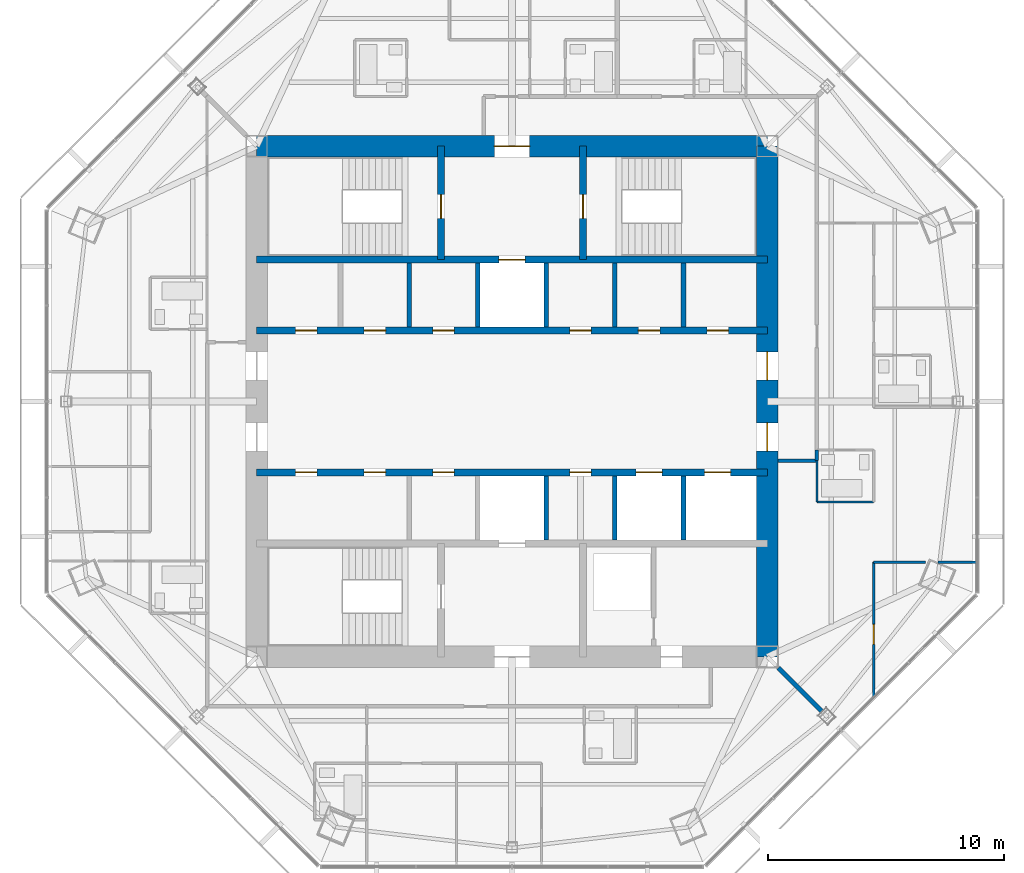
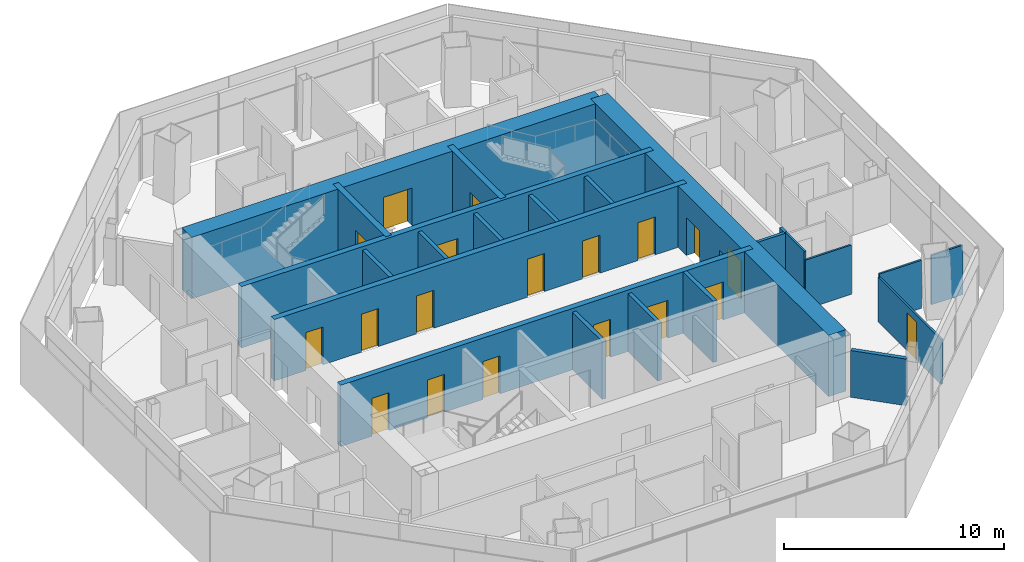
# One storey, part 10 of 15: 23 walls, 19 doors, 19 openings.
"""IFC4 building model written with IfcOpenShell, lengths in metres."""

from ifc_helpers import new_model, si_unit, direction, frame, frame_2d, origin, place, context, subcontext, project, spatial, rectangle, extrude, material, layer, layer_set, type_object, element, fill, save


model = new_model("IFC4")

# Units and contexts
model_context = context("Model", 3, precision=1e-05, world=origin(), true_north=direction((0.0, 1.0)))
body_context = subcontext(model_context, "Body", "Model", "MODEL_VIEW")
ifc_project = project(units=[si_unit("LENGTHUNIT", "METRE"), si_unit("AREAUNIT", "SQUARE_METRE"), si_unit("VOLUMEUNIT", "CUBIC_METRE"), si_unit("PLANEANGLEUNIT", "RADIAN"), si_unit("MASSUNIT", "GRAM", prefix="KILO")], contexts=[model_context])

# Site, building, storey
site_placement = place(None, origin())
site = spatial("IfcSite", under=ifc_project, at=site_placement, CompositionType="ELEMENT")
building_placement = place(site_placement, origin())
building = spatial("IfcBuilding", under=site, at=building_placement, Name="Mashrafa Tower", CompositionType="ELEMENT")
storey_placement = place(building_placement, frame((0.0, 0.0, 294.60009765625)))
storey = spatial("IfcBuildingStorey", under=building, at=storey_placement, Name="L72", CompositionType="ELEMENT", Elevation=294.60009765625)

# Wall
ifc_material_1 = material(Name="Gypsum board on steel studs", Category="steel")
ifc_layer_1 = layer(ifc_material_1, 0.199951171875)
ifc_layer_set_1 = layer_set([ifc_layer_1], Name="Acoustic partition 200 1 hr")
wall_type_1 = type_object("IfcWallType", Name="Acoustic partition 200 1 hr", PredefinedType="PARTITIONING", material=ifc_layer_set_1)
wall_1_placement = place(storey_placement, frame((11.26904296875, -11.26904296875, 0.0), z_axis=(0.0, 0.0, 1.0), x_axis=(0.707106781187, -0.707106781187, 0.0)))
element("IfcWall", 1, at=wall_1_placement, inside=storey, type_object=wall_type_1, Name="Acoustic wall L72-045", PredefinedType="PARTITIONING", context=body_context, shape_type="SweptSolid", body=[
    extrude(rectangle(XDim=2.603759765625, YDim=0.199951171875, at=frame_2d((1.3017578125, 0.0))), origin(), (0.0, 0.0, 1.0), 2.590576171875),
])

# Wall, openings, doors
ifc_material_2 = material(Name="Concrete C50/60", Category="concrete")
ifc_layer_2 = layer(ifc_material_2, 0.300048828125)
ifc_layer_set_2 = layer_set([ifc_layer_2], Name="Core wall 300 C50/60")
wall_type_2 = type_object("IfcWallType", Name="Core wall 300 C50/60", PredefinedType="SOLIDWALL", material=ifc_layer_set_2)
wall_2_placement = place(storey_placement, frame((-10.800048828125, 3.0, 0.0), z_axis=(0.0, 0.0, 1.0), x_axis=(1.0, 0.0, 0.0)))
wall_2 = element("IfcWall", 2, at=wall_2_placement, inside=storey, type_object=wall_type_2, Name="Core wall CH-N L72", PredefinedType="SOLIDWALL", context=body_context, shape_type="SweptSolid", body=[
    extrude(rectangle(XDim=21.60009765625, YDim=0.300048828125, at=frame_2d((10.800048828125, 0.0))), origin(), (0.0, 0.0, 1.0), 3.39990234375),
])
opening_1_placement = place(wall_2_placement, frame((1.64990234375, 0.0, 0.0)))
opening_1 = element("IfcOpeningElement", 3, at=opening_1_placement, cuts=wall_2, Name="Opening 72.040", PredefinedType="OPENING", context=body_context, shape_type="SweptSolid", body=[
    extrude(rectangle(XDim=0.89990234375, YDim=2.10009765625, at=frame_2d((0.449951171875, 1.050048828125))), frame((0.0, 0.159912109375, 0.0), z_axis=(0.0, -1.0, 0.0), x_axis=(1.0, 0.0, 0.0)), (0.0, 0.0, 1.0), 0.320068359375),
])
opening_2_placement = place(wall_2_placement, frame((4.550048828125, 0.0, 0.0)))
opening_2 = element("IfcOpeningElement", 4, at=opening_2_placement, cuts=wall_2, Name="Opening 72.041", PredefinedType="OPENING", context=body_context, shape_type="SweptSolid", body=[
    extrude(rectangle(XDim=0.89990234375, YDim=2.10009765625, at=frame_2d((0.449951171875, 1.050048828125))), frame((0.0, 0.159912109375, 0.0), z_axis=(0.0, -1.0, 0.0), x_axis=(1.0, 0.0, 0.0)), (0.0, 0.0, 1.0), 0.320068359375),
])
opening_3_placement = place(wall_2_placement, frame((13.25, 0.0, 0.0)))
opening_3 = element("IfcOpeningElement", 5, at=opening_3_placement, cuts=wall_2, Name="Opening 72.042", PredefinedType="OPENING", context=body_context, shape_type="SweptSolid", body=[
    extrude(rectangle(XDim=0.89990234375, YDim=2.10009765625, at=frame_2d((0.449951171875, 1.050048828125))), frame((0.0, 0.159912109375, 0.0), z_axis=(0.0, -1.0, 0.0), x_axis=(1.0, 0.0, 0.0)), (0.0, 0.0, 1.0), 0.320068359375),
])
opening_4_placement = place(wall_2_placement, frame((7.449951171875, 0.0, 0.0)))
opening_4 = element("IfcOpeningElement", 6, at=opening_4_placement, cuts=wall_2, Name="Opening 72.046", PredefinedType="OPENING", context=body_context, shape_type="SweptSolid", body=[
    extrude(rectangle(XDim=0.89990234375, YDim=2.10009765625, at=frame_2d((0.449951171875, 1.050048828125))), frame((0.0, 0.159912109375, 0.0), z_axis=(0.0, -1.0, 0.0), x_axis=(1.0, 0.0, 0.0)), (0.0, 0.0, 1.0), 0.320068359375),
])
opening_5_placement = place(wall_2_placement, frame((16.14990234375, 0.0, 0.0)))
opening_5 = element("IfcOpeningElement", 7, at=opening_5_placement, cuts=wall_2, Name="Opening 72.047", PredefinedType="OPENING", context=body_context, shape_type="SweptSolid", body=[
    extrude(rectangle(XDim=0.89990234375, YDim=2.10009765625, at=frame_2d((0.449951171875, 1.050048828125))), frame((0.0, 0.159912109375, 0.0), z_axis=(0.0, -1.0, 0.0), x_axis=(1.0, 0.0, 0.0)), (0.0, 0.0, 1.0), 0.320068359375),
])
opening_6_placement = place(wall_2_placement, frame((19.050048828125, 0.0, 0.0)))
opening_6 = element("IfcOpeningElement", 8, at=opening_6_placement, cuts=wall_2, Name="Opening 72.048", PredefinedType="OPENING", context=body_context, shape_type="SweptSolid", body=[
    extrude(rectangle(XDim=0.89990234375, YDim=2.10009765625, at=frame_2d((0.449951171875, 1.050048828125))), frame((0.0, 0.159912109375, 0.0), z_axis=(0.0, -1.0, 0.0), x_axis=(1.0, 0.0, 0.0)), (0.0, 0.0, 1.0), 0.320068359375),
])
ifc_material_3 = material(Name="Timber door", Category="wood")
door_type_1 = type_object("IfcDoorType", Name="Store door 900 x 2100", OperationType="USERDEFINED", PredefinedType="DOOR", material=ifc_material_3)
door_1_placement = place(opening_1_placement, origin())
door_1 = element("IfcDoor", 9, at=door_1_placement, inside=storey, type_object=door_type_1, Name="Refuse Chute Room L72 door", OperationType="SINGLE_SWING_RIGHT", OverallHeight=2.10009765625, OverallWidth=0.89990234375, PredefinedType="DOOR", context=body_context, shape_type="SweptSolid", body=[
    extrude(rectangle(XDim=0.89990234375, YDim=2.10009765625, at=frame_2d((0.449951171875, 1.050048828125))), frame((0.0, 0.02490234375, 0.0), z_axis=(0.0, -1.0, 0.0), x_axis=(1.0, 0.0, 0.0)), (0.0, 0.0, 1.0), 0.050048828125),
])
fill(opening_1, door_1)
door_2_placement = place(opening_2_placement, origin())
door_2 = element("IfcDoor", 10, at=door_2_placement, inside=storey, type_object=door_type_1, Name="Housekeeping Room L72 door", OperationType="SINGLE_SWING_LEFT", OverallHeight=2.10009765625, OverallWidth=0.89990234375, PredefinedType="DOOR", context=body_context, shape_type="SweptSolid", body=[
    extrude(rectangle(XDim=0.89990234375, YDim=2.10009765625, at=frame_2d((0.449951171875, 1.050048828125))), frame((0.0, 0.02490234375, 0.0), z_axis=(0.0, -1.0, 0.0), x_axis=(1.0, 0.0, 0.0)), (0.0, 0.0, 1.0), 0.050048828125),
])
fill(opening_2, door_2)
door_3_placement = place(opening_3_placement, origin())
door_3 = element("IfcDoor", 11, at=door_3_placement, inside=storey, type_object=door_type_1, Name="Cleaner's Store L72 door", OperationType="SINGLE_SWING_LEFT", OverallHeight=2.10009765625, OverallWidth=0.89990234375, PredefinedType="DOOR", context=body_context, shape_type="SweptSolid", body=[
    extrude(rectangle(XDim=0.89990234375, YDim=2.10009765625, at=frame_2d((0.449951171875, 1.050048828125))), frame((0.0, 0.02490234375, 0.0), z_axis=(0.0, -1.0, 0.0), x_axis=(1.0, 0.0, 0.0)), (0.0, 0.0, 1.0), 0.050048828125),
])
fill(opening_3, door_3)
door_4_placement = place(opening_4_placement, origin())
door_4 = element("IfcDoor", 12, at=door_4_placement, inside=storey, type_object=door_type_1, Name="Residents' Store L72-A3 door", OperationType="SINGLE_SWING_LEFT", OverallHeight=2.10009765625, OverallWidth=0.89990234375, PredefinedType="DOOR", context=body_context, shape_type="SweptSolid", body=[
    extrude(rectangle(XDim=0.89990234375, YDim=2.10009765625, at=frame_2d((0.449951171875, 1.050048828125))), frame((0.0, 0.02490234375, 0.0), z_axis=(0.0, -1.0, 0.0), x_axis=(1.0, 0.0, 0.0)), (0.0, 0.0, 1.0), 0.050048828125),
])
fill(opening_4, door_4)
door_5_placement = place(opening_5_placement, origin())
door_5 = element("IfcDoor", 13, at=door_5_placement, inside=storey, type_object=door_type_1, Name="Residents' Store L72-K1 door", OperationType="SINGLE_SWING_LEFT", OverallHeight=2.10009765625, OverallWidth=0.89990234375, PredefinedType="DOOR", context=body_context, shape_type="SweptSolid", body=[
    extrude(rectangle(XDim=0.89990234375, YDim=2.10009765625, at=frame_2d((0.449951171875, 1.050048828125))), frame((0.0, 0.02490234375, 0.0), z_axis=(0.0, -1.0, 0.0), x_axis=(1.0, 0.0, 0.0)), (0.0, 0.0, 1.0), 0.050048828125),
])
fill(opening_5, door_5)
door_6_placement = place(opening_6_placement, origin())
door_6 = element("IfcDoor", 14, at=door_6_placement, inside=storey, type_object=door_type_1, Name="Residents' Store L72-K2 door", OperationType="SINGLE_SWING_LEFT", OverallHeight=2.10009765625, OverallWidth=0.89990234375, PredefinedType="DOOR", context=body_context, shape_type="SweptSolid", body=[
    extrude(rectangle(XDim=0.89990234375, YDim=2.10009765625, at=frame_2d((0.449951171875, 1.050048828125))), frame((0.0, 0.02490234375, 0.0), z_axis=(0.0, -1.0, 0.0), x_axis=(1.0, 0.0, 0.0)), (0.0, 0.0, 1.0), 0.050048828125),
])
fill(opening_6, door_6)

# Wall, opening, door
wall_3_placement = place(storey_placement, frame((-10.800048828125, 6.0, 0.0), z_axis=(0.0, 0.0, 1.0), x_axis=(1.0, 0.0, 0.0)))
wall_3 = element("IfcWall", 15, at=wall_3_placement, inside=storey, type_object=wall_type_2, Name="Core wall CB-N L72", PredefinedType="SOLIDWALL", context=body_context, shape_type="SweptSolid", body=[
    extrude(rectangle(XDim=21.60009765625, YDim=0.300048828125, at=frame_2d((10.800048828125, 0.0))), origin(), (0.0, 0.0, 1.0), 3.39990234375),
])
opening_7_placement = place(wall_3_placement, frame((10.25, 0.0, 0.0)))
opening_7 = element("IfcOpeningElement", 16, at=opening_7_placement, cuts=wall_3, Name="Opening 72.F1", PredefinedType="OPENING", context=body_context, shape_type="SweptSolid", body=[
    extrude(rectangle(XDim=1.10009765625, YDim=2.10009765625, at=frame_2d((0.550048828125, 1.050048828125))), frame((0.0, 0.159912109375, 0.0), z_axis=(0.0, -1.0, 0.0), x_axis=(1.0, 0.0, 0.0)), (0.0, 0.0, 1.0), 0.320068359375),
])
ifc_material_4 = material(Name="Steel door", Category="steel")
door_type_2 = type_object("IfcDoorType", Name="Lift landing door 1100 x 2100 90 min", OperationType="DOUBLE_DOOR_SLIDING", PredefinedType="DOOR", material=ifc_material_4)
door_7_placement = place(opening_7_placement, origin())
door_7 = element("IfcDoor", 17, at=door_7_placement, inside=storey, type_object=door_type_2, Name="Lift landing door F1 L72", OperationType="DOUBLE_DOOR_SLIDING", OverallHeight=2.10009765625, OverallWidth=1.10009765625, PredefinedType="DOOR", context=body_context, shape_type="SweptSolid", body=[
    extrude(rectangle(XDim=1.10009765625, YDim=2.10009765625, at=frame_2d((0.550048828125, 1.050048828125))), frame((0.0, 0.02490234375, 0.0), z_axis=(0.0, -1.0, 0.0), x_axis=(1.0, 0.0, 0.0)), (0.0, 0.0, 1.0), 0.050048828125),
])
fill(opening_7, door_7)

wall_4_placement = place(storey_placement, frame((-3.0, 6.0, 0.0), z_axis=(0.0, 0.0, 1.0), x_axis=(0.0, 1.0, 0.0)))
wall_4 = element("IfcWall", 18, at=wall_4_placement, inside=storey, type_object=wall_type_2, Name="Core wall CX-NW L72", PredefinedType="SOLIDWALL", context=body_context, shape_type="SweptSolid", body=[
    extrude(rectangle(XDim=4.800048828125, YDim=0.300048828125, at=frame_2d((2.39990234375, 0.0))), origin(), (0.0, 0.0, 1.0), 3.39990234375),
])
opening_8_placement = place(wall_4_placement, frame((1.75, 0.0, 0.0)))
opening_8 = element("IfcOpeningElement", 19, at=opening_8_placement, cuts=wall_4, Name="Opening 72.035", PredefinedType="OPENING", context=body_context, shape_type="SweptSolid", body=[
    extrude(rectangle(XDim=1.0, YDim=2.10009765625, at=frame_2d((0.5, 1.050048828125))), frame((0.0, 0.159912109375, 0.0), z_axis=(0.0, -1.0, 0.0), x_axis=(1.0, 0.0, 0.0)), (0.0, 0.0, 1.0), 0.320068359375),
])
ifc_material_5 = material(Name="Steel door", Category="steel")
door_type_3 = type_object("IfcDoorType", Name="Stair door 1000 x 2100 90 min", OperationType="USERDEFINED", PredefinedType="DOOR", material=ifc_material_5)
door_8_placement = place(opening_8_placement, origin())
door_8 = element("IfcDoor", 20, at=door_8_placement, inside=storey, type_object=door_type_3, Name="Stair S1 door L72", OperationType="SINGLE_SWING_LEFT", OverallHeight=2.10009765625, OverallWidth=1.0, PredefinedType="DOOR", context=body_context, shape_type="SweptSolid", body=[
    extrude(rectangle(XDim=1.0, YDim=2.10009765625, at=frame_2d((0.5, 1.050048828125))), frame((0.0, 0.02490234375, 0.0), z_axis=(0.0, -1.0, 0.0), x_axis=(1.0, 0.0, 0.0)), (0.0, 0.0, 1.0), 0.050048828125),
])
fill(opening_8, door_8)

wall_5_placement = place(storey_placement, frame((3.0, 6.0, 0.0), z_axis=(0.0, 0.0, 1.0), x_axis=(0.0, 1.0, 0.0)))
wall_5 = element("IfcWall", 21, at=wall_5_placement, inside=storey, type_object=wall_type_2, Name="Core wall CX-NE L72", PredefinedType="SOLIDWALL", context=body_context, shape_type="SweptSolid", body=[
    extrude(rectangle(XDim=4.800048828125, YDim=0.300048828125, at=frame_2d((2.39990234375, 0.0))), origin(), (0.0, 0.0, 1.0), 3.39990234375),
])
opening_9_placement = place(wall_5_placement, frame((1.75, 0.0, 0.0)))
opening_9 = element("IfcOpeningElement", 22, at=opening_9_placement, cuts=wall_5, Name="Opening 72.036", PredefinedType="OPENING", context=body_context, shape_type="SweptSolid", body=[
    extrude(rectangle(XDim=1.0, YDim=2.10009765625, at=frame_2d((0.5, 1.050048828125))), frame((0.0, 0.159912109375, 0.0), z_axis=(0.0, -1.0, 0.0), x_axis=(1.0, 0.0, 0.0)), (0.0, 0.0, 1.0), 0.320068359375),
])
door_9_placement = place(opening_9_placement, frame((1.0, 0.0, 0.0), z_axis=(0.0, 0.0, 1.0), x_axis=(-1.0, 0.0, 0.0)))
door_9 = element("IfcDoor", 23, at=door_9_placement, inside=storey, type_object=door_type_3, Name="Stair S2 door L72", OperationType="SINGLE_SWING_RIGHT", OverallHeight=2.10009765625, OverallWidth=1.0, PredefinedType="DOOR", context=body_context, shape_type="SweptSolid", body=[
    extrude(rectangle(XDim=1.0, YDim=2.10009765625, at=frame_2d((0.5, 1.050048828125))), frame((0.0, 0.02490234375, 0.0), z_axis=(0.0, -1.0, 0.0), x_axis=(1.0, 0.0, 0.0)), (0.0, 0.0, 1.0), 0.050048828125),
])
fill(opening_9, door_9)

# Wall, openings, doors
wall_6_placement = place(storey_placement, frame((-10.800048828125, -3.0, 0.0), z_axis=(0.0, 0.0, 1.0), x_axis=(1.0, 0.0, 0.0)))
wall_6 = element("IfcWall", 24, at=wall_6_placement, inside=storey, type_object=wall_type_2, Name="Core wall CH-S L72", PredefinedType="SOLIDWALL", context=body_context, shape_type="SweptSolid", body=[
    extrude(rectangle(XDim=21.60009765625, YDim=0.300048828125, at=frame_2d((10.800048828125, 0.0))), origin(), (0.0, 0.0, 1.0), 3.39990234375),
])
opening_10_placement = place(wall_6_placement, frame((13.25, 0.0, 0.0)))
opening_10 = element("IfcOpeningElement", 25, at=opening_10_placement, cuts=wall_6, Name="Opening 72.043", PredefinedType="OPENING", context=body_context, shape_type="SweptSolid", body=[
    extrude(rectangle(XDim=0.89990234375, YDim=2.10009765625, at=frame_2d((0.449951171875, 1.050048828125))), frame((0.0, 0.159912109375, 0.0), z_axis=(0.0, -1.0, 0.0), x_axis=(1.0, 0.0, 0.0)), (0.0, 0.0, 1.0), 0.320068359375),
])
opening_11_placement = place(wall_6_placement, frame((1.64990234375, 0.0, 0.0)))
opening_11 = element("IfcOpeningElement", 26, at=opening_11_placement, cuts=wall_6, Name="Opening 72.044", PredefinedType="OPENING", context=body_context, shape_type="SweptSolid", body=[
    extrude(rectangle(XDim=0.89990234375, YDim=2.10009765625, at=frame_2d((0.449951171875, 1.050048828125))), frame((0.0, 0.159912109375, 0.0), z_axis=(0.0, -1.0, 0.0), x_axis=(1.0, 0.0, 0.0)), (0.0, 0.0, 1.0), 0.320068359375),
])
opening_12_placement = place(wall_6_placement, frame((4.550048828125, 0.0, 0.0)))
opening_12 = element("IfcOpeningElement", 27, at=opening_12_placement, cuts=wall_6, Name="Opening 72.045", PredefinedType="OPENING", context=body_context, shape_type="SweptSolid", body=[
    extrude(rectangle(XDim=0.89990234375, YDim=2.10009765625, at=frame_2d((0.449951171875, 1.050048828125))), frame((0.0, 0.159912109375, 0.0), z_axis=(0.0, -1.0, 0.0), x_axis=(1.0, 0.0, 0.0)), (0.0, 0.0, 1.0), 0.320068359375),
])
opening_13_placement = place(wall_6_placement, frame((7.449951171875, 0.0, 0.0)))
opening_13 = element("IfcOpeningElement", 28, at=opening_13_placement, cuts=wall_6, Name="Opening 72.049", PredefinedType="OPENING", context=body_context, shape_type="SweptSolid", body=[
    extrude(rectangle(XDim=0.89990234375, YDim=2.10009765625, at=frame_2d((0.449951171875, 1.050048828125))), frame((0.0, 0.159912109375, 0.0), z_axis=(0.0, -1.0, 0.0), x_axis=(1.0, 0.0, 0.0)), (0.0, 0.0, 1.0), 0.320068359375),
])
opening_14_placement = place(wall_6_placement, frame((16.050048828125, 0.0, 0.0)))
opening_14 = element("IfcOpeningElement", 29, at=opening_14_placement, cuts=wall_6, Name="Opening 72.R1", PredefinedType="OPENING", context=body_context, shape_type="SweptSolid", body=[
    extrude(rectangle(XDim=1.10009765625, YDim=2.10009765625, at=frame_2d((0.550048828125, 1.050048828125))), frame((0.0, 0.159912109375, 0.0), z_axis=(0.0, -1.0, 0.0), x_axis=(1.0, 0.0, 0.0)), (0.0, 0.0, 1.0), 0.320068359375),
])
opening_15_placement = place(wall_6_placement, frame((18.949951171875, 0.0, 0.0)))
opening_15 = element("IfcOpeningElement", 30, at=opening_15_placement, cuts=wall_6, Name="Opening 72.R2", PredefinedType="OPENING", context=body_context, shape_type="SweptSolid", body=[
    extrude(rectangle(XDim=1.10009765625, YDim=2.10009765625, at=frame_2d((0.550048828125, 1.050048828125))), frame((0.0, 0.159912109375, 0.0), z_axis=(0.0, -1.0, 0.0), x_axis=(1.0, 0.0, 0.0)), (0.0, 0.0, 1.0), 0.320068359375),
])
door_10_placement = place(opening_14_placement, origin())
door_10 = element("IfcDoor", 31, at=door_10_placement, inside=storey, type_object=door_type_2, Name="Lift landing door R1 L72", OperationType="DOUBLE_DOOR_SLIDING", OverallHeight=2.10009765625, OverallWidth=1.10009765625, PredefinedType="DOOR", context=body_context, shape_type="SweptSolid", body=[
    extrude(rectangle(XDim=1.10009765625, YDim=2.10009765625, at=frame_2d((0.550048828125, 1.050048828125))), frame((0.0, 0.02490234375, 0.0), z_axis=(0.0, -1.0, 0.0), x_axis=(1.0, 0.0, 0.0)), (0.0, 0.0, 1.0), 0.050048828125),
])
fill(opening_14, door_10)
door_11_placement = place(opening_15_placement, origin())
door_11 = element("IfcDoor", 32, at=door_11_placement, inside=storey, type_object=door_type_2, Name="Lift landing door R2 L72", OperationType="DOUBLE_DOOR_SLIDING", OverallHeight=2.10009765625, OverallWidth=1.10009765625, PredefinedType="DOOR", context=body_context, shape_type="SweptSolid", body=[
    extrude(rectangle(XDim=1.10009765625, YDim=2.10009765625, at=frame_2d((0.550048828125, 1.050048828125))), frame((0.0, 0.02490234375, 0.0), z_axis=(0.0, -1.0, 0.0), x_axis=(1.0, 0.0, 0.0)), (0.0, 0.0, 1.0), 0.050048828125),
])
fill(opening_15, door_11)
door_12_placement = place(opening_10_placement, frame((0.89990234375, 0.0, 0.0), z_axis=(0.0, 0.0, 1.0), x_axis=(-1.0, 0.0, 0.0)))
door_12 = element("IfcDoor", 33, at=door_12_placement, inside=storey, type_object=door_type_1, Name="Communications Room L72 door", OperationType="SINGLE_SWING_RIGHT", OverallHeight=2.10009765625, OverallWidth=0.89990234375, PredefinedType="DOOR", context=body_context, shape_type="SweptSolid", body=[
    extrude(rectangle(XDim=0.89990234375, YDim=2.10009765625, at=frame_2d((0.449951171875, 1.050048828125))), frame((0.0, 0.02490234375, 0.0), z_axis=(0.0, -1.0, 0.0), x_axis=(1.0, 0.0, 0.0)), (0.0, 0.0, 1.0), 0.050048828125),
])
fill(opening_10, door_12)
door_13_placement = place(opening_11_placement, frame((0.89990234375, 0.0, 0.0), z_axis=(0.0, 0.0, 1.0), x_axis=(-1.0, 0.0, 0.0)))
door_13 = element("IfcDoor", 34, at=door_13_placement, inside=storey, type_object=door_type_1, Name="Butler's Pantry L72 door", OperationType="SINGLE_SWING_RIGHT", OverallHeight=2.10009765625, OverallWidth=0.89990234375, PredefinedType="DOOR", context=body_context, shape_type="SweptSolid", body=[
    extrude(rectangle(XDim=0.89990234375, YDim=2.10009765625, at=frame_2d((0.449951171875, 1.050048828125))), frame((0.0, 0.02490234375, 0.0), z_axis=(0.0, -1.0, 0.0), x_axis=(1.0, 0.0, 0.0)), (0.0, 0.0, 1.0), 0.050048828125),
])
fill(opening_11, door_13)
door_14_placement = place(opening_12_placement, frame((0.89990234375, 0.0, 0.0), z_axis=(0.0, 0.0, 1.0), x_axis=(-1.0, 0.0, 0.0)))
door_14 = element("IfcDoor", 35, at=door_14_placement, inside=storey, type_object=door_type_1, Name="Butler's Pantry L72 door", OperationType="SINGLE_SWING_LEFT", OverallHeight=2.10009765625, OverallWidth=0.89990234375, PredefinedType="DOOR", context=body_context, shape_type="SweptSolid", body=[
    extrude(rectangle(XDim=0.89990234375, YDim=2.10009765625, at=frame_2d((0.449951171875, 1.050048828125))), frame((0.0, 0.02490234375, 0.0), z_axis=(0.0, -1.0, 0.0), x_axis=(1.0, 0.0, 0.0)), (0.0, 0.0, 1.0), 0.050048828125),
])
fill(opening_12, door_14)
door_15_placement = place(opening_13_placement, frame((0.89990234375, 0.0, 0.0), z_axis=(0.0, 0.0, 1.0), x_axis=(-1.0, 0.0, 0.0)))
door_15 = element("IfcDoor", 36, at=door_15_placement, inside=storey, type_object=door_type_1, Name="Residents' Store L72-B3 door", OperationType="SINGLE_SWING_RIGHT", OverallHeight=2.10009765625, OverallWidth=0.89990234375, PredefinedType="DOOR", context=body_context, shape_type="SweptSolid", body=[
    extrude(rectangle(XDim=0.89990234375, YDim=2.10009765625, at=frame_2d((0.449951171875, 1.050048828125))), frame((0.0, 0.02490234375, 0.0), z_axis=(0.0, -1.0, 0.0), x_axis=(1.0, 0.0, 0.0)), (0.0, 0.0, 1.0), 0.050048828125),
])
fill(opening_13, door_15)

ifc_material_6 = material(Name="Concrete C50/60", Category="concrete")
ifc_layer_3 = layer(ifc_material_6, 0.89990234375)
ifc_layer_set_3 = layer_set([ifc_layer_3], Name="Core wall 900 C50/60")
wall_type_3 = type_object("IfcWallType", Name="Core wall 900 C50/60", PredefinedType="SOLIDWALL", material=ifc_layer_set_3)
wall_7_placement = place(storey_placement, frame((10.800048828125, -10.800048828125, 0.0), z_axis=(0.0, 0.0, 1.0), x_axis=(0.0, 1.0, 0.0)))
wall_7 = element("IfcWall", 37, at=wall_7_placement, inside=storey, type_object=wall_type_3, Name="Core wall CW-E L72", PredefinedType="SOLIDWALL", context=body_context, shape_type="SweptSolid", body=[
    extrude(rectangle(XDim=21.60009765625, YDim=0.89990234375, at=frame_2d((10.800048828125, 0.0))), origin(), (0.0, 0.0, 1.0), 3.39990234375),
])
opening_16_placement = place(wall_7_placement, frame((11.699951171875, 0.0, 0.0)))
opening_16 = element("IfcOpeningElement", 38, at=opening_16_placement, cuts=wall_7, Name="Opening 72.029", PredefinedType="OPENING", context=body_context, shape_type="SweptSolid", body=[
    extrude(rectangle(XDim=1.199951171875, YDim=2.10009765625, at=frame_2d((0.60009765625, 1.050048828125))), frame((0.0, 0.4599609375, 0.0), z_axis=(0.0, -1.0, 0.0), x_axis=(1.0, 0.0, 0.0)), (0.0, 0.0, 1.0), 0.919921875),
])
opening_17_placement = place(wall_7_placement, frame((8.699951171875, 0.0, 0.0)))
opening_17 = element("IfcOpeningElement", 39, at=opening_17_placement, cuts=wall_7, Name="Opening 72.031", PredefinedType="OPENING", context=body_context, shape_type="SweptSolid", body=[
    extrude(rectangle(XDim=1.199951171875, YDim=2.10009765625, at=frame_2d((0.60009765625, 1.050048828125))), frame((0.0, 0.4599609375, 0.0), z_axis=(0.0, -1.0, 0.0), x_axis=(1.0, 0.0, 0.0)), (0.0, 0.0, 1.0), 0.919921875),
])
ifc_material_7 = material(Name="Steel door", Category="steel")
door_type_4 = type_object("IfcDoorType", Name="Lift hall door 1200 x 2100 90 min", OperationType="USERDEFINED", PredefinedType="DOOR", material=ifc_material_7)
door_16_placement = place(opening_16_placement, frame((1.199951171875, 0.0, 0.0), z_axis=(0.0, 0.0, 1.0), x_axis=(-1.0, 0.0, 0.0)))
door_16 = element("IfcDoor", 40, at=door_16_placement, inside=storey, type_object=door_type_4, Name="Lift hall door east L72", OperationType="SINGLE_SWING_RIGHT", OverallHeight=2.10009765625, OverallWidth=1.199951171875, PredefinedType="DOOR", context=body_context, shape_type="SweptSolid", body=[
    extrude(rectangle(XDim=1.199951171875, YDim=2.10009765625, at=frame_2d((0.60009765625, 1.050048828125))), frame((0.0, 0.02490234375, 0.0), z_axis=(0.0, -1.0, 0.0), x_axis=(1.0, 0.0, 0.0)), (0.0, 0.0, 1.0), 0.050048828125),
])
fill(opening_16, door_16)
door_17_placement = place(opening_17_placement, frame((1.199951171875, 0.0, 0.0), z_axis=(0.0, 0.0, 1.0), x_axis=(-1.0, 0.0, 0.0)))
door_17 = element("IfcDoor", 41, at=door_17_placement, inside=storey, type_object=door_type_4, Name="Lift hall door east L72", OperationType="SINGLE_SWING_RIGHT", OverallHeight=2.10009765625, OverallWidth=1.199951171875, PredefinedType="DOOR", context=body_context, shape_type="SweptSolid", body=[
    extrude(rectangle(XDim=1.199951171875, YDim=2.10009765625, at=frame_2d((0.60009765625, 1.050048828125))), frame((0.0, 0.02490234375, 0.0), z_axis=(0.0, -1.0, 0.0), x_axis=(1.0, 0.0, 0.0)), (0.0, 0.0, 1.0), 0.050048828125),
])
fill(opening_17, door_17)

# Wall, opening, door
wall_8_placement = place(storey_placement, frame((10.800048828125, 10.800048828125, 0.0), z_axis=(0.0, 0.0, 1.0), x_axis=(-1.0, 0.0, 0.0)))
wall_8 = element("IfcWall", 42, at=wall_8_placement, inside=storey, type_object=wall_type_3, Name="Core wall CW-N L72", PredefinedType="SOLIDWALL", context=body_context, shape_type="SweptSolid", body=[
    extrude(rectangle(XDim=21.60009765625, YDim=0.89990234375, at=frame_2d((10.800048828125, 0.0))), origin(), (0.0, 0.0, 1.0), 3.39990234375),
])
opening_18_placement = place(wall_8_placement, frame((10.050048828125, 0.0, 0.0)))
opening_18 = element("IfcOpeningElement", 43, at=opening_18_placement, cuts=wall_8, Name="Opening 72.033", PredefinedType="OPENING", context=body_context, shape_type="SweptSolid", body=[
    extrude(rectangle(XDim=1.5, YDim=2.10009765625, at=frame_2d((0.75, 1.050048828125))), frame((0.0, 0.4599609375, 0.0), z_axis=(0.0, -1.0, 0.0), x_axis=(1.0, 0.0, 0.0)), (0.0, 0.0, 1.0), 0.919921875),
])
ifc_material_8 = material(Name="Steel door", Category="steel")
door_type_5 = type_object("IfcDoorType", Name="Lobby door pair 1500 x 2100 90 min", OperationType="DOUBLE_DOOR_SINGLE_SWING", PredefinedType="DOOR", material=ifc_material_8)
door_18_placement = place(opening_18_placement, origin())
door_18 = element("IfcDoor", 44, at=door_18_placement, inside=storey, type_object=door_type_5, Name="Fire-fighting lobby F1 door L72", OperationType="DOUBLE_DOOR_SINGLE_SWING", OverallHeight=2.10009765625, OverallWidth=1.5, PredefinedType="DOOR", context=body_context, shape_type="SweptSolid", body=[
    extrude(rectangle(XDim=1.5, YDim=2.10009765625, at=frame_2d((0.75, 1.050048828125))), frame((0.0, 0.02490234375, 0.0), z_axis=(0.0, -1.0, 0.0), x_axis=(1.0, 0.0, 0.0)), (0.0, 0.0, 1.0), 0.050048828125),
])
fill(opening_18, door_18)

# Walls
ifc_material_9 = material(Name="Gypsum board on steel studs", Category="steel")
ifc_layer_4 = layer(ifc_material_9, 0.14990234375)
ifc_layer_set_4 = layer_set([ifc_layer_4], Name="Corridor partition 150 1 hr")
wall_type_4 = type_object("IfcWallType", Name="Corridor partition 150 1 hr", PredefinedType="PARTITIONING", material=ifc_layer_set_4)
wall_9_placement = place(storey_placement, frame((12.89990234375, -2.5, 0.0), z_axis=(0.0, 0.0, 1.0), x_axis=(0.0, 1.0, 0.0)))
element("IfcWall", 45, at=wall_9_placement, inside=storey, type_object=wall_type_4, Name="Corridor wall L72-001", PredefinedType="PARTITIONING", context=body_context, shape_type="SweptSolid", body=[
    extrude(rectangle(XDim=0.450927734375, YDim=0.14990234375, at=frame_2d((0.2255859375, 0.0))), origin(), (0.0, 0.0, 1.0), 3.199951171875),
])
wall_10_placement = place(storey_placement, frame((11.25, -2.5, 0.0), z_axis=(0.0, 0.0, 1.0), x_axis=(1.0, 0.0, 0.0)))
element("IfcWall", 46, at=wall_10_placement, inside=storey, type_object=wall_type_4, Name="Corridor wall L72-003", PredefinedType="PARTITIONING", context=body_context, shape_type="SweptSolid", body=[
    extrude(rectangle(XDim=1.64990234375, YDim=0.14990234375, at=frame_2d((0.824951171875, 0.0))), origin(), (0.0, 0.0, 1.0), 3.199951171875),
])
ifc_material_10 = material(Name="Gypsum board on steel studs", Category="steel")
ifc_layer_5 = layer(ifc_material_10, 0.10009765625)
ifc_layer_set_5 = layer_set([ifc_layer_5], Name="Partition 100")
wall_type_5 = type_object("IfcWallType", Name="Partition 100", PredefinedType="PARTITIONING", material=ifc_layer_set_5)
wall_11_placement = place(storey_placement, frame((15.300048828125, -4.25, 0.0), z_axis=(0.0, 0.0, 1.0), x_axis=(-1.0, 0.0, 0.0)))
element("IfcWall", 47, at=wall_11_placement, inside=storey, type_object=wall_type_5, Name="Partition wall L72-026", PredefinedType="PARTITIONING", context=body_context, shape_type="SweptSolid", body=[
    extrude(rectangle(XDim=2.400146484375, YDim=0.10009765625, at=frame_2d((1.2001953125, 0.0))), origin(), (0.0, 0.0, 1.0), 2.730224609375),
])
wall_12_placement = place(storey_placement, frame((12.89990234375, -2.4990234375, 0.0), z_axis=(0.0, 0.0, 1.0), x_axis=(0.0, -1.0, 0.0)))
element("IfcWall", 48, at=wall_12_placement, inside=storey, type_object=wall_type_5, Name="Partition wall L72-027", PredefinedType="PARTITIONING", context=body_context, shape_type="SweptSolid", body=[
    extrude(rectangle(XDim=1.7509765625, YDim=0.10009765625, at=frame_2d((0.87548828125, 0.0))), origin(), (0.0, 0.0, 1.0), 3.199951171875),
])

# Wall, opening, door
wall_13_placement = place(storey_placement, frame((15.300048828125, -12.51123046875, 0.0), z_axis=(0.0, 0.0, 1.0), x_axis=(0.0, 1.0, 0.0)))
wall_13 = element("IfcWall", 49, at=wall_13_placement, inside=storey, type_object=wall_type_5, Name="Partition wall L72-042", PredefinedType="PARTITIONING", context=body_context, shape_type="SweptSolid", body=[
    extrude(rectangle(XDim=5.714599609375, YDim=0.10009765625, at=frame_2d((2.857421875, 0.0))), origin(), (0.0, 0.0, 1.0), 2.49658203125),
])
opening_19_placement = place(wall_13_placement, frame((2.235595703125, 0.0, 0.0)))
opening_19 = element("IfcOpeningElement", 50, at=opening_19_placement, cuts=wall_13, Name="Opening 72.008", PredefinedType="OPENING", context=body_context, shape_type="SweptSolid", body=[
    extrude(rectangle(XDim=0.85009765625, YDim=2.10009765625, at=frame_2d((0.425048828125, 1.050048828125))), frame((0.0, 0.06005859375, 0.0), z_axis=(0.0, -1.0, 0.0), x_axis=(1.0, 0.0, 0.0)), (0.0, 0.0, 1.0), 0.1201171875),
])
ifc_material_11 = material(Name="Timber door", Category="wood")
door_type_6 = type_object("IfcDoorType", Name="Bedroom door 850 x 2100", OperationType="USERDEFINED", PredefinedType="DOOR", material=ifc_material_11)
door_19_placement = place(opening_19_placement, frame((0.85009765625, 0.0, 0.0), z_axis=(0.0, 0.0, 1.0), x_axis=(-1.0, 0.0, 0.0)))
door_19 = element("IfcDoor", 51, at=door_19_placement, inside=storey, type_object=door_type_6, Name="Apartment 7201 Dining Room door", OperationType="SINGLE_SWING_RIGHT", OverallHeight=2.10009765625, OverallWidth=0.85009765625, PredefinedType="DOOR", context=body_context, shape_type="SweptSolid", body=[
    extrude(rectangle(XDim=0.85009765625, YDim=2.10009765625, at=frame_2d((0.425048828125, 1.050048828125))), frame((0.0, 0.02490234375, 0.0), z_axis=(0.0, -1.0, 0.0), x_axis=(1.0, 0.0, 0.0)), (0.0, 0.0, 1.0), 0.050048828125),
])
fill(opening_19, door_19)

# Walls
wall_14_placement = place(storey_placement, frame((15.300048828125, -6.796630859375, 0.0), z_axis=(0.0, 0.0, 1.0), x_axis=(1.0, 0.0, 0.0)))
element("IfcWall", 52, at=wall_14_placement, inside=storey, type_object=wall_type_5, Name="Partition wall L72-043", PredefinedType="PARTITIONING", context=body_context, shape_type="SweptSolid", body=[
    extrude(rectangle(XDim=2.193115234375, YDim=0.10009765625, at=frame_2d((1.0966796875, 0.0))), origin(), (0.0, 0.0, 1.0), 2.66162109375),
])
wall_15_placement = place(storey_placement, frame((18.02587890625, -6.796630859375, 0.0), z_axis=(0.0, 0.0, 1.0), x_axis=(1.0, 0.0, 0.0)))
element("IfcWall", 53, at=wall_15_placement, inside=storey, type_object=wall_type_5, Name="Partition wall L72-044", PredefinedType="PARTITIONING", context=body_context, shape_type="SweptSolid", body=[
    extrude(rectangle(XDim=1.636962890625, YDim=0.10009765625, at=frame_2d((0.818359375, 0.0))), origin(), (0.0, 0.0, 1.0), 2.740234375),
])
ifc_material_12 = material(Name="Gypsum shaft wall on steel studs", Category="steel")
ifc_layer_6 = layer(ifc_material_12, 0.199951171875)
ifc_layer_set_6 = layer_set([ifc_layer_6], Name="Shaft divider wall 200 2 hr")
wall_type_6 = type_object("IfcWallType", Name="Shaft divider wall 200 2 hr", PredefinedType="PARTITIONING", material=ifc_layer_set_6)
for number, where, z_axis, x_axis, name in (
    (54, (-4.35009765625, 3.14990234375, 0.0), (0.0, 0.0, 1.0), (0.0, 1.0, 0.0), "Shaft divider wall N2 L72"),
    (55, (-1.449951171875, 3.14990234375, 0.0), (0.0, 0.0, 1.0), (0.0, 1.0, 0.0), "Shaft divider wall N3 L72"),
    (56, (1.449951171875, 3.14990234375, 0.0), (0.0, 0.0, 1.0), (0.0, 1.0, 0.0), "Shaft divider wall N4 L72"),
    (57, (4.35009765625, 3.14990234375, 0.0), (0.0, 0.0, 1.0), (0.0, 1.0, 0.0), "Shaft divider wall N5 L72"),
    (58, (7.25, 3.14990234375, 0.0), (0.0, 0.0, 1.0), (0.0, 1.0, 0.0), "Shaft divider wall N6 L72"),
    (59, (1.449951171875, -5.85009765625, 0.0), (0.0, 0.0, 1.0), (0.0, 1.0, 0.0), "Shaft divider wall S4 L72"),
    (60, (4.35009765625, -5.85009765625, 0.0), (0.0, 0.0, 1.0), (0.0, 1.0, 0.0), "Shaft divider wall S5 L72"),
):
    element("IfcWall", number, at=place(storey_placement, frame(where, z_axis=z_axis, x_axis=x_axis)), inside=storey, type_object=wall_type_6, Name=name, PredefinedType="PARTITIONING", context=body_context, shape_type="SweptSolid", body=[
        extrude(rectangle(XDim=2.7001953125, YDim=0.199951171875, at=frame_2d((1.35009765625, 0.0))), origin(), (0.0, 0.0, 1.0), 3.199951171875),
    ])
wall_16_placement = place(storey_placement, frame((7.25, -5.85009765625, 0.0), z_axis=(0.0, 0.0, 1.0), x_axis=(0.0, 1.0, 0.0)))
element("IfcWall", 61, at=wall_16_placement, inside=storey, type_object=wall_type_6, Name="Shaft divider wall S6 L72", PredefinedType="PARTITIONING", context=body_context, shape_type="SweptSolid", body=[
    extrude(rectangle(XDim=2.7001953125, YDim=0.199951171875, at=frame_2d((1.35009765625, 0.0))), origin(), (0.0, 0.0, 1.0), 3.39990234375),
])

save(model, "model.ifc")
